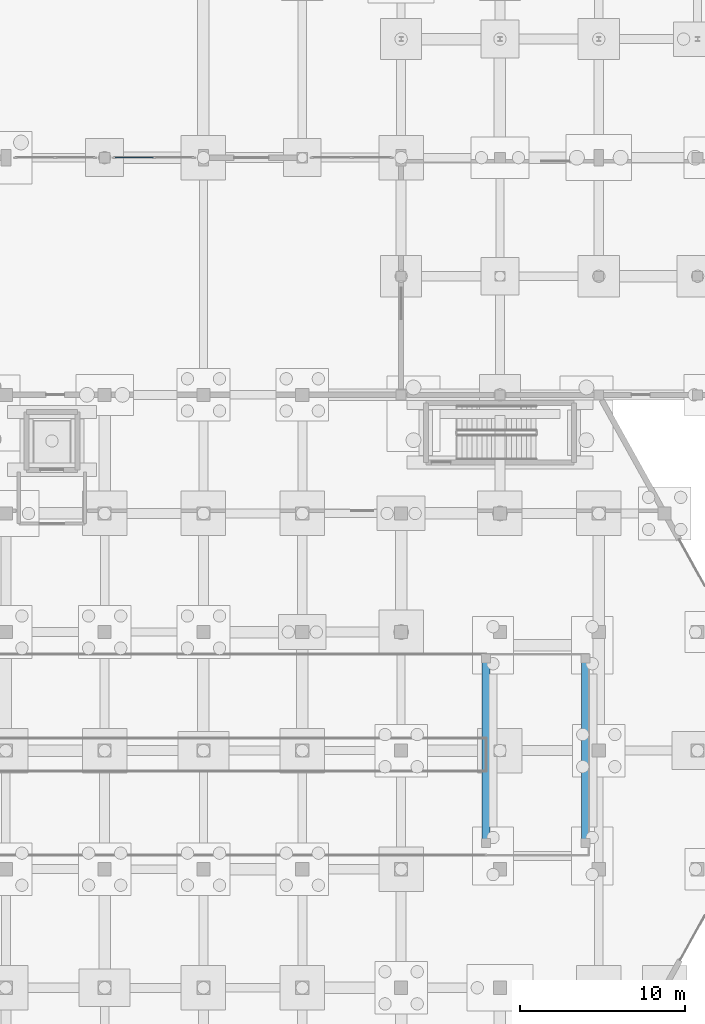
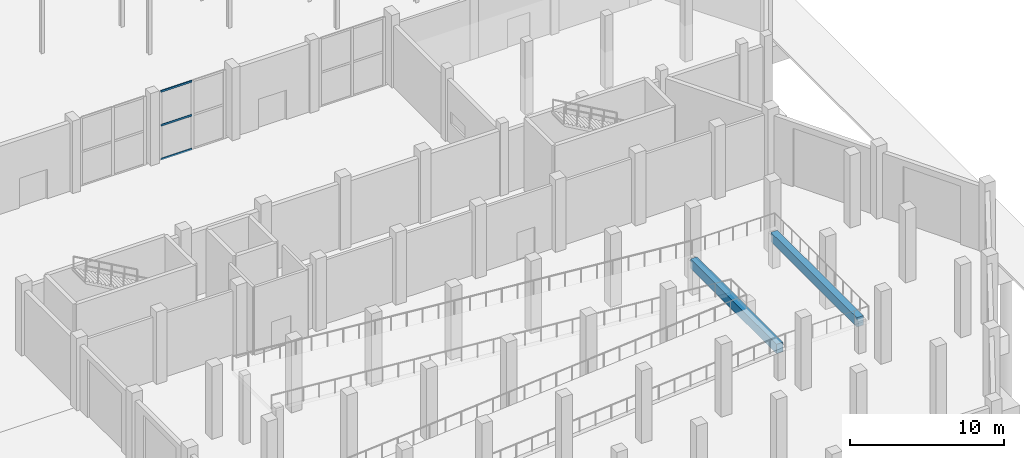
# One storey, part 61 of 103: 3 members, 2 beams, 1 element without a shape of its own.
"""IFC4 building model written with IfcOpenShell, lengths in metres."""

import ifcopenshell
import ifcopenshell.guid

model = None  # the IFC model being written
_history = None  # IfcOwnerHistory: only IFC2X3 demands one
_inside = {}  # id of a spatial element -> (the spatial element, [elements in it])
_under = {}  # id of a project, library or spatial element -> (it, [spatial elements below it])
_declared = {}  # id of a project -> (the project, [libraries it declares])
_typed = {}  # id of a type object -> (the type object, [elements of that type])
_made_of = {}  # id of a material, layer set ... -> (it, [elements and type objects made of it])


def new_model(schema):
    """Start an empty IFC model of exactly this schema.

    Asked for "IFC4X3", IfcOpenShell would pick the latest addendum, in which some entities
    have other attributes; the version numbers below select the first issue.
    IFC2X3 requires an IfcOwnerHistory on every rooted entity: one is made here for all.
    """
    global model, _history
    if schema == "IFC4X3":
        model = ifcopenshell.file(schema_version=(4, 3, 0, 0))
    else:
        model = ifcopenshell.file(schema=schema)
    _inside.clear()
    _under.clear()
    _declared.clear()
    _typed.clear()
    _made_of.clear()
    _history = None
    if model.schema == "IFC2X3":
        org = make("IfcOrganization", Name="unknown")
        user = make(
            "IfcPersonAndOrganization",
            ThePerson=make("IfcPerson", FamilyName="unknown"),
            TheOrganization=org,
        )
        app = make(
            "IfcApplication",
            ApplicationDeveloper=org,
            Version="unknown",
            ApplicationFullName="unknown",
            ApplicationIdentifier="unknown",
        )
        _history = make(
            "IfcOwnerHistory",
            OwningUser=user,
            OwningApplication=app,
            ChangeAction="ADDED",
            CreationDate=0,
        )
    return model


def make(cls, **values):
    """One entity of the class cls with the attributes given. An attribute that is None is left unset."""
    return model.create_entity(
        cls, **{name: value for name, value in values.items() if value is not None}
    )


def rooted(cls, **values):
    """An entity with a GlobalId (a new one), such as an element, a storey or a relation."""
    return make(cls, GlobalId=ifcopenshell.guid.new(), OwnerHistory=_history, **values)


def si_unit(unit_type, name, prefix=None):
    """IfcSIUnit, for example si_unit("LENGTHUNIT", "METRE", prefix="MILLI")."""
    return make("IfcSIUnit", UnitType=unit_type, Prefix=prefix, Name=name)


def assignment(units):
    """IfcUnitAssignment: the units of a project."""
    return None if units is None else make("IfcUnitAssignment", Units=units)


def point(xyz):
    """IfcCartesianPoint."""
    return None if xyz is None else make("IfcCartesianPoint", Coordinates=xyz)


def direction(xyz):
    """IfcDirection."""
    return None if xyz is None else make("IfcDirection", DirectionRatios=xyz)


def frame(location, z_axis=None, x_axis=None):
    """IfcAxis2Placement3D, a coordinate frame: its origin and axes. An axis left out is left unset."""
    return make(
        "IfcAxis2Placement3D",
        Location=point(location),
        Axis=direction(z_axis),
        RefDirection=direction(x_axis),
    )


def frame_2d(location, x_axis=None):
    """IfcAxis2Placement2D, a coordinate frame in the plane: its origin and x axis."""
    return make(
        "IfcAxis2Placement2D", Location=point(location), RefDirection=direction(x_axis)
    )


def origin():
    """The frame at (0, 0, 0) with its axes left unset."""
    return frame((0.0, 0.0, 0.0))


def origin_2d():
    """The frame at (0, 0) in the plane with its x axis left unset."""
    return frame_2d((0.0, 0.0))


def place(relative_to, where):
    """IfcLocalPlacement: puts the frame where relative to a parent placement (None: the world)."""
    return make(
        "IfcLocalPlacement", PlacementRelTo=relative_to, RelativePlacement=where
    )


def context(
    kind, dimensions, precision=None, world=None, true_north=None, identifier=None
):
    """IfcGeometricRepresentationContext, for example the 3D "Model" context."""
    return make(
        "IfcGeometricRepresentationContext",
        ContextIdentifier=identifier,
        ContextType=kind,
        CoordinateSpaceDimension=dimensions,
        Precision=precision,
        WorldCoordinateSystem=world,
        TrueNorth=true_north,
    )


def subcontext(parent, identifier, kind, view, scale=None):
    """IfcGeometricRepresentationSubContext, for example "Body" below "Model"."""
    return make(
        "IfcGeometricRepresentationSubContext",
        ContextIdentifier=identifier,
        ContextType=kind,
        ParentContext=parent,
        TargetScale=scale,
        TargetView=view,
    )


def project(units=None, contexts=None):
    """IfcProject with its units and contexts."""
    return rooted(
        "IfcProject",
        Name="project",
        RepresentationContexts=contexts,
        UnitsInContext=assignment(units),
    )


def spatial(cls, under=None, at=None, **own):
    """A site, building, storey or space (cls), placed at a placement, below another one or the project."""
    s = rooted(cls, ObjectPlacement=at, **own)
    if under is not None:
        _under.setdefault(under.id(), (under, []))[1].append(s)
    return s


def profile(cls, at=None, kind="AREA", **sizes):
    """A parametric profile (cls). Its sizes go by their IFC names, for example OverallWidth=200.0."""
    return make(cls, ProfileType=kind, Position=at, **sizes)


def rectangle(**sizes):
    """IfcRectangleProfileDef."""
    return profile("IfcRectangleProfileDef", **sizes)


def hollow_rectangle(**sizes):
    """IfcRectangleHollowProfileDef."""
    return profile("IfcRectangleHollowProfileDef", **sizes)


def extrude(swept, where, along, depth):
    """IfcExtrudedAreaSolid: the profile swept, set in the frame where, extruded along a direction by depth."""
    return make(
        "IfcExtrudedAreaSolid",
        SweptArea=swept,
        Position=where,
        ExtrudedDirection=direction(along),
        Depth=depth,
    )


def shape(context_of_items, identifier, shape_type, items):
    """IfcShapeRepresentation: the items that make up one representation, for example the "Body"."""
    return make(
        "IfcShapeRepresentation",
        ContextOfItems=context_of_items,
        RepresentationIdentifier=identifier,
        RepresentationType=shape_type,
        Items=items,
    )


def material(Name=None, Category=None):
    """IfcMaterial."""
    return make("IfcMaterial", Name=Name, Category=Category)


def layer(
    of_material, thickness, ventilated=None, Name=None, Category=None, Priority=None
):
    """IfcMaterialLayer: one layer of a wall or slab, of a material (None: an air gap)."""
    return make(
        "IfcMaterialLayer",
        Material=of_material,
        LayerThickness=thickness,
        IsVentilated=ventilated,
        Name=Name,
        Category=Category,
        Priority=Priority,
    )


def layer_set(layers, Name=None):
    """IfcMaterialLayerSet."""
    return make("IfcMaterialLayerSet", MaterialLayers=layers, LayerSetName=Name)


def material_profile(
    of_material, cross_section, Name=None, Category=None, Priority=None
):
    """IfcMaterialProfile: a cross section and its material."""
    return make(
        "IfcMaterialProfile",
        Name=Name,
        Material=of_material,
        Profile=cross_section,
        Priority=Priority,
        Category=Category,
    )


def profile_set(profiles, Name=None, composite=None):
    """IfcMaterialProfileSet."""
    return make(
        "IfcMaterialProfileSet",
        Name=Name,
        MaterialProfiles=profiles,
        CompositeProfile=composite,
    )


def made_of(thing, what):
    """Note that an element or type object is made of a material, layer set ...; save() writes the relation."""
    if what is not None:
        _made_of.setdefault(what.id(), (what, []))[1].append(thing)
    return thing


def type_object(cls, material=None, **own):
    """A type object (cls), such as IfcWallType, which elements share."""
    return made_of(rooted(cls, **own), material)


def element(
    cls,
    number,
    at=None,
    inside=None,
    cuts=None,
    type_object=None,
    material=None,
    context=None,
    identifier="Body",
    shape_type=None,
    held_by="IfcProductDefinitionShape",
    body=None,
    shapes=None,
    **own,
):
    """One element of the class cls, such as IfcWall. Its Tag is "e" and its number.

    at: its placement. inside: the storey or other place that contains it. cuts: it is an
    opening in that element (IfcRelVoidsElement). A single representation is given by context,
    identifier, shape_type and body (its items); several are given by shapes. held_by: the class
    of the entity that holds the representations. save() writes the other relations.
    """
    e = rooted(cls, Tag="e%d" % number, ObjectPlacement=at, **own)
    if body is not None:
        shapes = [shape(context, identifier, shape_type, body)]
    if shapes is not None:
        e.Representation = make(held_by, Representations=shapes)
    if inside is not None:
        _inside.setdefault(inside.id(), (inside, []))[1].append(e)
    if cuts is not None:
        rooted(
            "IfcRelVoidsElement", RelatingBuildingElement=cuts, RelatedOpeningElement=e
        )
    if type_object is not None:
        _typed.setdefault(type_object.id(), (type_object, []))[1].append(e)
    return made_of(e, material)


def aggregate(whole, parts):
    """IfcRelAggregates: a whole, such as a stair, and the parts it consists of."""
    return rooted("IfcRelAggregates", RelatingObject=whole, RelatedObjects=parts)


def save(model, path):
    """Write the relations noted so far, then the file.

    IfcRelAggregates (storeys below a building ...), IfcRelContainedInSpatialStructure (elements
    in a storey), IfcRelDefinesByType, IfcRelAssociatesMaterial and IfcRelDeclares: one each for
    every whole, place, type object, material and project.
    """
    for whole, parts in _under.values():
        aggregate(whole, parts)
    for where, things in _inside.values():
        rooted(
            "IfcRelContainedInSpatialStructure",
            RelatedElements=things,
            RelatingStructure=where,
        )
    for kind, things in _typed.values():
        rooted("IfcRelDefinesByType", RelatedObjects=things, RelatingType=kind)
    for what, things in _made_of.values():
        rooted("IfcRelAssociatesMaterial", RelatedObjects=things, RelatingMaterial=what)
    for by, libraries in _declared.values():
        rooted("IfcRelDeclares", RelatingContext=by, RelatedDefinitions=libraries)
    model.write(path)


model = new_model("IFC4")

# Units and contexts
model_context = context("Model", 3, precision=1e-05, world=origin(), true_north=direction((0.0, 1.0)))
body_context = subcontext(model_context, "Body", "Model", "MODEL_VIEW")
ifc_project = project(units=[si_unit("LENGTHUNIT", "METRE"), si_unit("AREAUNIT", "SQUARE_METRE"), si_unit("VOLUMEUNIT", "CUBIC_METRE"), si_unit("PLANEANGLEUNIT", "RADIAN"), si_unit("MASSUNIT", "GRAM", prefix="KILO")], contexts=[model_context])

# Site, building, storey
site_placement = place(None, origin())
site = spatial("IfcSite", under=ifc_project, at=site_placement, CompositionType="ELEMENT")
building_placement = place(site_placement, origin())
building = spatial("IfcBuilding", under=site, at=building_placement, Name="Dunvalen Ferry Terminal", CompositionType="ELEMENT")
storey_placement = place(building_placement, origin())
storey = spatial("IfcBuildingStorey", under=building, at=storey_placement, Name="L00", CompositionType="ELEMENT", Elevation=0.0)

# Curtain wall, members
ifc_material_1 = material(Name="Anodised marine aluminium and solar-control glazing", Category="aluminium")
ifc_layer = layer(ifc_material_1, 0.219970703125, Name="Anodised marine aluminium and solar-control glazing")
ifc_layer_set = layer_set([ifc_layer], Name="Anodised marine aluminium and solar-control glazing")
curtain_wall_type = type_object("IfcCurtainWallType", Name="ENV-CW-SYS-01", PredefinedType="NOTDEFINED", material=ifc_layer_set)
curtain_wall_placement = place(storey_placement, origin())
curtain_wall = element("IfcCurtainWall", 1, at=curtain_wall_placement, inside=storey, type_object=curtain_wall_type, Name="L00 Curtain Wall CW-V2S-L00-04", PredefinedType="NOTDEFINED")
ifc_material_2 = material(Name="Anodised marine aluminium EN AW-6063 T6", Category="aluminium")
ifc_material_profile_1 = material_profile(ifc_material_2, hollow_rectangle(XDim=0.06494140625, YDim=0.159912109375, WallThickness=0.00341796875, InnerFilletRadius=0.00341796875, OuterFilletRadius=0.007080078125, at=origin_2d()), Name="Anodised marine aluminium EN AW-6063 T6")
ifc_profile_set_1 = profile_set([ifc_material_profile_1], Name="Anodised marine aluminium EN AW-6063 T6")
member_type = type_object("IfcMemberType", Name="ENV-CW-TRN-1", PredefinedType="USERDEFINED", material=ifc_profile_set_1)
member_1_placement = place(storey_placement, frame((126.625, 57.60009765625, 0.032470703125), z_axis=(1.0, 0.0, 0.0), x_axis=(0.0, 1.0, 0.0)))
member_1 = element("IfcMember", 2, at=member_1_placement, type_object=member_type, Name="CW-01 transom 1.1", ObjectType="TRANSOM", PredefinedType="USERDEFINED", context=body_context, shape_type="SweptSolid", body=[
    extrude(hollow_rectangle(XDim=0.06494140625, YDim=0.159912109375, WallThickness=0.00341796875, InnerFilletRadius=0.00341796875, OuterFilletRadius=0.007080078125, at=origin_2d()), origin(), (0.0, 0.0, 1.0), 2.342529296875),
])
member_2_placement = place(storey_placement, frame((126.625, 57.60009765625, 2.72509765625), z_axis=(1.0, 0.0, 0.0), x_axis=(0.0, 1.0, 0.0)))
member_2 = element("IfcMember", 3, at=member_2_placement, type_object=member_type, Name="CW-01 transom 1.2", ObjectType="TRANSOM", PredefinedType="USERDEFINED", context=body_context, shape_type="SweptSolid", body=[
    extrude(hollow_rectangle(XDim=0.06494140625, YDim=0.159912109375, WallThickness=0.00341796875, InnerFilletRadius=0.00341796875, OuterFilletRadius=0.007080078125, at=origin_2d()), origin(), (0.0, 0.0, 1.0), 2.342529296875),
])
member_3_placement = place(storey_placement, frame((126.625, 57.60009765625, 5.41748046875), z_axis=(1.0, 0.0, 0.0), x_axis=(0.0, 1.0, 0.0)))
member_3 = element("IfcMember", 4, at=member_3_placement, type_object=member_type, Name="CW-01 transom 1.3", ObjectType="TRANSOM", PredefinedType="USERDEFINED", context=body_context, shape_type="SweptSolid", body=[
    extrude(hollow_rectangle(XDim=0.06494140625, YDim=0.159912109375, WallThickness=0.00341796875, InnerFilletRadius=0.00341796875, OuterFilletRadius=0.007080078125, at=origin_2d()), origin(), (0.0, 0.0, 1.0), 2.342529296875),
])
aggregate(curtain_wall, [member_1, member_2, member_3])

# Beams
ifc_material_3 = material(Name="Concrete C40/50", Category="concrete")
ifc_material_profile_2 = material_profile(ifc_material_3, rectangle(XDim=0.5, YDim=0.75, at=origin_2d()), Name="Concrete C40/50")
ifc_profile_set_2 = profile_set([ifc_material_profile_2], Name="Concrete C40/50")
beam_type = type_object("IfcBeamType", Name="STR-BM-RCB750", PredefinedType="BEAM", material=ifc_profile_set_2)
for number, where, z_axis, x_axis, name in (
    (5, (149.159912109375, 16.0, 2.35009765625), (0.0, 1.0, 0.0), (-1.0, 0.0, 0.0), "Vehicle Ramp Mid-Landing West Bearing Beam"),
    (6, (155.199951171875, 16.0, 2.35009765625), (0.0, 1.0, 0.0), (-1.0, 0.0, 0.0), "Vehicle Ramp Mid-Landing East Bearing Beam"),
):
    element("IfcBeam", number, at=place(storey_placement, frame(where, z_axis=z_axis, x_axis=x_axis)), inside=storey, type_object=beam_type, Name=name, PredefinedType="BEAM", context=body_context, shape_type="SweptSolid", body=[
        extrude(rectangle(XDim=0.5, YDim=0.75, at=origin_2d()), origin(), (0.0, 0.0, 1.0), 11.199951171875),
    ])

save(model, "model.ifc")
